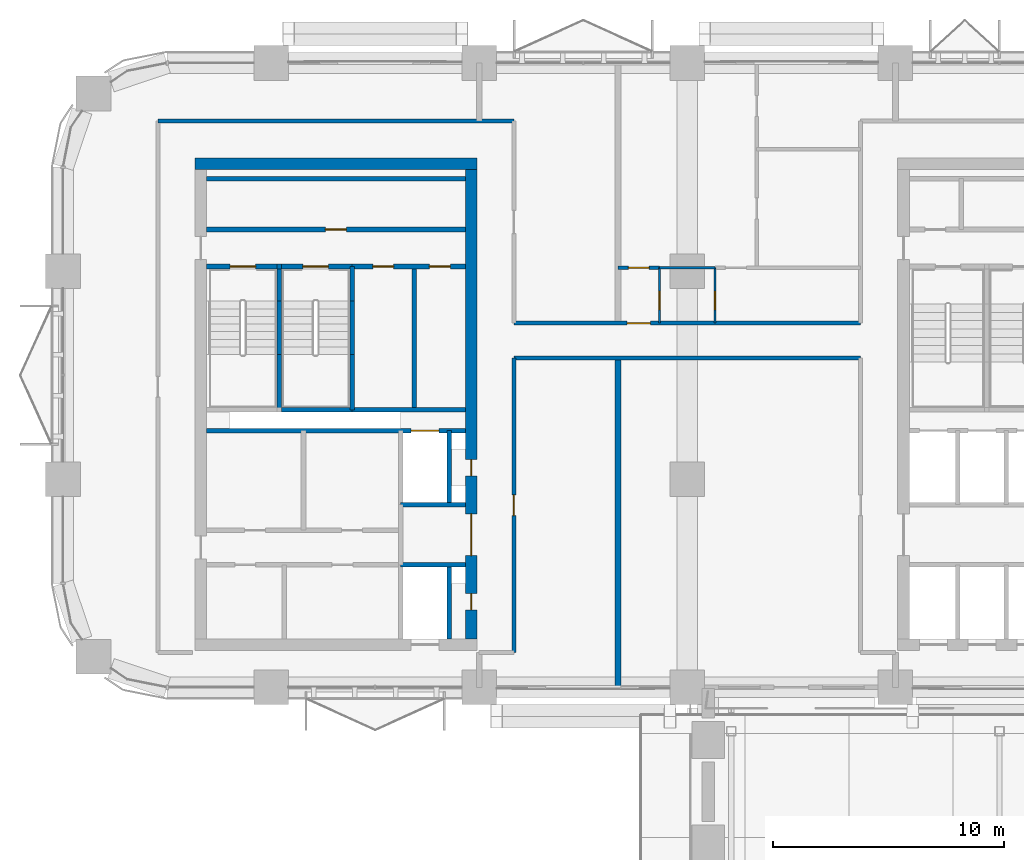
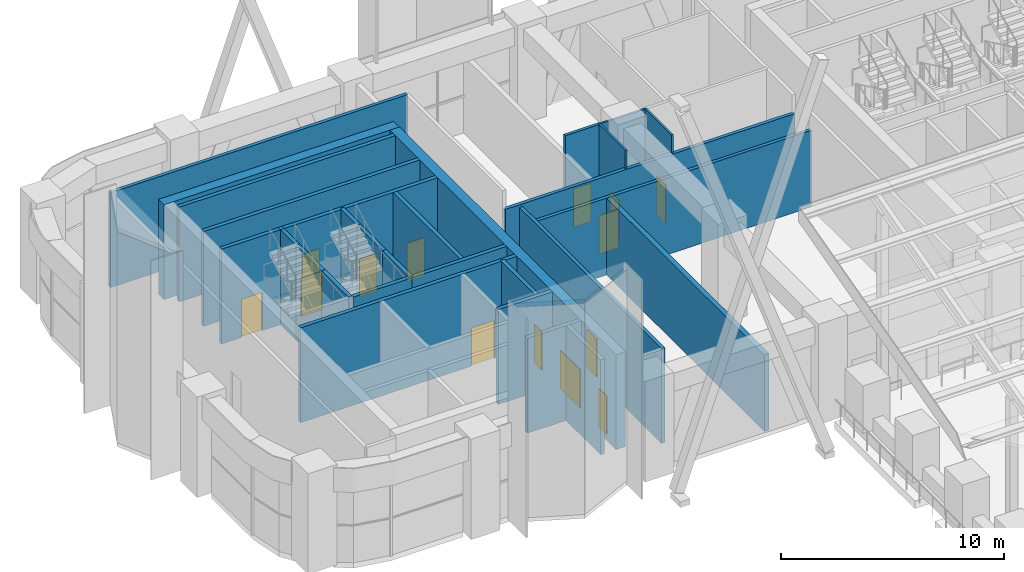
# One storey, part 14 of 22: 31 walls, 14 doors, 14 openings.
"""IFC4 building model written with IfcOpenShell, lengths in metres."""

from ifc_helpers import new_model, si_unit, direction, frame, frame_2d, origin, place, context, subcontext, project, spatial, rectangle, extrude, material, layer, layer_set, type_object, element, fill, save


model = new_model("IFC4")

# Units and contexts
model_context = context("Model", 3, precision=1e-05, world=origin(), true_north=direction((0.0, 1.0)))
body_context = subcontext(model_context, "Body", "Model", "MODEL_VIEW")
ifc_project = project(units=[si_unit("LENGTHUNIT", "METRE"), si_unit("AREAUNIT", "SQUARE_METRE"), si_unit("VOLUMEUNIT", "CUBIC_METRE"), si_unit("PLANEANGLEUNIT", "RADIAN"), si_unit("MASSUNIT", "GRAM", prefix="KILO")], contexts=[model_context])

# Site, building, storey
site_placement = place(None, origin())
site = spatial("IfcSite", under=ifc_project, at=site_placement, CompositionType="ELEMENT")
building_placement = place(site_placement, origin())
building = spatial("IfcBuilding", under=site, at=building_placement, Name="Tessera Arch", CompositionType="ELEMENT")
storey_placement = place(building_placement, frame((0.0, 0.0, 129.39990234375)))
storey = spatial("IfcBuildingStorey", under=building, at=storey_placement, Name="L30", CompositionType="ELEMENT", Elevation=129.39990234375)

# Wall
ifc_material_1 = material(Name="Gypsum board on steel stud", Category="steel")
ifc_layer_1 = layer(ifc_material_1, 0.125)
ifc_layer_set_1 = layer_set([ifc_layer_1], Name="Core partition 125 EI 60")
wall_type_1 = type_object("IfcWallType", Name="Core partition 125 EI 60", PredefinedType="PARTITIONING", material=ifc_layer_set_1)
wall_1_placement = place(storey_placement, frame((15.195068359375, 39.0, 0.0), z_axis=(0.0, 0.0, 1.0), x_axis=(0.0, 1.0, 0.0)))
element("IfcWall", 1, at=wall_1_placement, inside=storey, type_object=wall_type_1, Name="L30 C2 partition wall 12", PredefinedType="PARTITIONING", context=body_context, shape_type="SweptSolid", body=[
    extrude(rectangle(XDim=6.199951171875, YDim=0.199951171875, at=frame_2d((3.10009765625, 0.0))), origin(), (0.0, 0.0, 1.0), 5.2001953125),
])

# Wall, openings, doors
wall_2_placement = place(storey_placement, frame((12.5, 45.199951171875, 0.0), z_axis=(0.0, 0.0, 1.0), x_axis=(1.0, 0.0, 0.0)))
wall_2 = element("IfcWall", 2, at=wall_2_placement, inside=storey, type_object=wall_type_1, Name="L30 C2 partition wall 24", PredefinedType="PARTITIONING", context=body_context, shape_type="SweptSolid", body=[
    extrude(rectangle(XDim=4.89990234375, YDim=0.199951171875, at=frame_2d((2.449951171875, 0.0))), origin(), (0.0, 0.0, 1.0), 5.2001953125),
])
opening_1_placement = place(wall_2_placement, frame((0.8974609375, 0.0, 0.0)))
opening_1 = element("IfcOpeningElement", 3, at=opening_1_placement, cuts=wall_2, Name="Opening L30-C30", PredefinedType="OPENING", context=body_context, shape_type="SweptSolid", body=[
    extrude(rectangle(XDim=0.89990234375, YDim=2.10009765625, at=frame_2d((0.449951171875, 1.050048828125))), frame((0.0, 0.10986328125, 0.0), z_axis=(0.0, -1.0, 0.0), x_axis=(1.0, 0.0, 0.0)), (0.0, 0.0, 1.0), 0.219970703125),
])
opening_2_placement = place(wall_2_placement, frame((3.347412109375, 0.0, 0.0)))
opening_2 = element("IfcOpeningElement", 4, at=opening_2_placement, cuts=wall_2, Name="Opening L30-C31", PredefinedType="OPENING", context=body_context, shape_type="SweptSolid", body=[
    extrude(rectangle(XDim=0.89990234375, YDim=2.10009765625, at=frame_2d((0.449951171875, 1.050048828125))), frame((0.0, 0.10986328125, 0.0), z_axis=(0.0, -1.0, 0.0), x_axis=(1.0, 0.0, 0.0)), (0.0, 0.0, 1.0), 0.219970703125),
])
ifc_material_2 = material(Name="Steel door leaf", Category="steel")
door_type_1 = type_object("IfcDoorType", Name="Store door FD30S 900 x 2100", OperationType="SINGLE_SWING_LEFT", PredefinedType="DOOR", material=ifc_material_2)
door_1_placement = place(opening_1_placement, origin())
door_1 = element("IfcDoor", 5, at=door_1_placement, inside=storey, type_object=door_type_1, Name="L30 C2 door 11 C30 type D09", OperationType="SINGLE_SWING_LEFT", OverallHeight=2.10009765625, OverallWidth=0.89990234375, PredefinedType="DOOR", context=body_context, shape_type="SweptSolid", body=[
    extrude(rectangle(XDim=0.89990234375, YDim=2.10009765625, at=frame_2d((0.449951171875, 1.050048828125))), frame((0.0, 0.02490234375, 0.0), z_axis=(0.0, -1.0, 0.0), x_axis=(1.0, 0.0, 0.0)), (0.0, 0.0, 1.0), 0.050048828125),
])
fill(opening_1, door_1)
door_2_placement = place(opening_2_placement, origin())
door_2 = element("IfcDoor", 6, at=door_2_placement, inside=storey, type_object=door_type_1, Name="L30 C2 door 12 C31 type D09", OperationType="SINGLE_SWING_RIGHT", OverallHeight=2.10009765625, OverallWidth=0.89990234375, PredefinedType="DOOR", context=body_context, shape_type="SweptSolid", body=[
    extrude(rectangle(XDim=0.89990234375, YDim=2.10009765625, at=frame_2d((0.449951171875, 1.050048828125))), frame((0.0, 0.02490234375, 0.0), z_axis=(0.0, -1.0, 0.0), x_axis=(1.0, 0.0, 0.0)), (0.0, 0.0, 1.0), 0.050048828125),
])
fill(opening_2, door_2)

# Wall, opening, door
wall_3_placement = place(storey_placement, frame((6.199951171875, 46.800048828125, 0.0), z_axis=(0.0, 0.0, 1.0), x_axis=(1.0, 0.0, 0.0)))
wall_3 = element("IfcWall", 7, at=wall_3_placement, inside=storey, type_object=wall_type_1, Name="L30 C2 partition wall 28", PredefinedType="PARTITIONING", context=body_context, shape_type="SweptSolid", body=[
    extrude(rectangle(XDim=11.199951171875, YDim=0.199951171875, at=frame_2d((5.60009765625, 0.0))), origin(), (0.0, 0.0, 1.0), 5.2001953125),
])
opening_3_placement = place(wall_3_placement, frame((5.14990234375, 0.0, 0.0)))
opening_3 = element("IfcOpeningElement", 8, at=opening_3_placement, cuts=wall_3, Name="Opening L30-C29", PredefinedType="OPENING", context=body_context, shape_type="SweptSolid", body=[
    extrude(rectangle(XDim=0.89990234375, YDim=2.10009765625, at=frame_2d((0.449951171875, 1.050048828125))), frame((0.0, 0.10986328125, 0.0), z_axis=(0.0, -1.0, 0.0), x_axis=(1.0, 0.0, 0.0)), (0.0, 0.0, 1.0), 0.219970703125),
])
door_3_placement = place(opening_3_placement, origin())
door_3 = element("IfcDoor", 9, at=door_3_placement, inside=storey, type_object=door_type_1, Name="L30 C2 door 10 C29 type D09", OperationType="SINGLE_SWING_RIGHT", OverallHeight=2.10009765625, OverallWidth=0.89990234375, PredefinedType="DOOR", context=body_context, shape_type="SweptSolid", body=[
    extrude(rectangle(XDim=0.89990234375, YDim=2.10009765625, at=frame_2d((0.449951171875, 1.050048828125))), frame((0.0, 0.02490234375, 0.0), z_axis=(0.0, -1.0, 0.0), x_axis=(1.0, 0.0, 0.0)), (0.0, 0.0, 1.0), 0.050048828125),
])
fill(opening_3, door_3)

# Walls
wall_4_placement = place(storey_placement, frame((6.199951171875, 49.0, 0.0), z_axis=(0.0, 0.0, 1.0), x_axis=(1.0, 0.0, 0.0)))
element("IfcWall", 10, at=wall_4_placement, inside=storey, type_object=wall_type_1, Name="L30 C2 partition wall 29", PredefinedType="PARTITIONING", context=body_context, shape_type="SweptSolid", body=[
    extrude(rectangle(XDim=11.199951171875, YDim=0.199951171875, at=frame_2d((5.60009765625, 0.0))), origin(), (0.0, 0.0, 1.0), 5.2001953125),
])
ifc_material_3 = material(Name="Concrete C60/75", Category="concrete")
ifc_layer_2 = layer(ifc_material_3, 0.5)
ifc_layer_set_2 = layer_set([ifc_layer_2], Name="Core shell wall 500 C60-75")
wall_type_2 = type_object("IfcWallType", Name="Core shell wall 500 C60-75", PredefinedType="SHEAR", material=ifc_layer_set_2)
wall_5_placement = place(storey_placement, frame((5.699951171875, 49.64990234375, 0.0), z_axis=(0.0, 0.0, 1.0), x_axis=(1.0, 0.0, 0.0)))
element("IfcWall", 11, at=wall_5_placement, inside=storey, type_object=wall_type_2, Name="L30 C2 core wall N", PredefinedType="SHEAR", context=body_context, shape_type="SweptSolid", body=[
    extrude(rectangle(XDim=12.199951171875, YDim=0.5, at=frame_2d((6.10009765625, 0.0))), origin(), (0.0, 0.0, 1.0), 5.2001953125),
])

# Wall, openings, doors
wall_6_placement = place(storey_placement, frame((17.64990234375, 29.10009765625, 0.0), z_axis=(0.0, 0.0, 1.0), x_axis=(0.0, 1.0, 0.0)))
wall_6 = element("IfcWall", 12, at=wall_6_placement, inside=storey, type_object=wall_type_2, Name="L30 C2 core wall E", PredefinedType="SHEAR", context=body_context, shape_type="SweptSolid", body=[
    extrude(rectangle(XDim=20.2998046875, YDim=0.5, at=frame_2d((10.14990234375, 0.0))), origin(), (0.0, 0.0, 1.0), 5.2001953125),
])
opening_4_placement = place(wall_6_placement, frame((1.25, 0.0, 0.0)))
opening_4 = element("IfcOpeningElement", 13, at=opening_4_placement, cuts=wall_6, Name="Opening L30-C22", PredefinedType="OPENING", context=body_context, shape_type="SweptSolid", body=[
    extrude(rectangle(XDim=0.699951171875, YDim=2.10009765625, at=frame_2d((0.35009765625, 1.050048828125))), frame((0.0, 0.260009765625, 0.0), z_axis=(0.0, -1.0, 0.0), x_axis=(1.0, 0.0, 0.0)), (0.0, 0.0, 1.0), 0.52001953125),
])
opening_5_placement = place(wall_6_placement, frame((7.050048828125, 0.0, 0.0)))
opening_5 = element("IfcOpeningElement", 14, at=opening_5_placement, cuts=wall_6, Name="Opening L30-C23", PredefinedType="OPENING", context=body_context, shape_type="SweptSolid", body=[
    extrude(rectangle(XDim=0.699951171875, YDim=2.10009765625, at=frame_2d((0.35009765625, 1.050048828125))), frame((0.0, 0.260009765625, 0.0), z_axis=(0.0, -1.0, 0.0), x_axis=(1.0, 0.0, 0.0)), (0.0, 0.0, 1.0), 0.52001953125),
])
opening_6_placement = place(wall_6_placement, frame((3.60009765625, 0.0, 0.0)))
opening_6 = element("IfcOpeningElement", 15, at=opening_6_placement, cuts=wall_6, Name="Opening L30-C26", PredefinedType="OPENING", context=body_context, shape_type="SweptSolid", body=[
    extrude(rectangle(XDim=1.800048828125, YDim=2.10009765625, at=frame_2d((0.89990234375, 1.050048828125))), frame((0.0, 0.260009765625, 0.0), z_axis=(0.0, -1.0, 0.0), x_axis=(1.0, 0.0, 0.0)), (0.0, 0.0, 1.0), 0.52001953125),
])
ifc_material_4 = material(Name="Glazed steel door leaf", Category="steel")
door_type_2 = type_object("IfcDoorType", Name="Lobby double door FD30S 1800 x 2100", OperationType="DOUBLE_DOOR_SINGLE_SWING", PredefinedType="DOOR", material=ifc_material_4)
door_4_placement = place(opening_6_placement, origin())
door_4 = element("IfcDoor", 16, at=door_4_placement, inside=storey, type_object=door_type_2, Name="L30 C2 door 7 C26 type D06", OperationType="DOUBLE_DOOR_SINGLE_SWING", OverallHeight=2.10009765625, OverallWidth=1.800048828125, PredefinedType="DOOR", context=body_context, shape_type="SweptSolid", body=[
    extrude(rectangle(XDim=1.800048828125, YDim=2.10009765625, at=frame_2d((0.89990234375, 1.050048828125))), frame((0.0, 0.02490234375, 0.0), z_axis=(0.0, -1.0, 0.0), x_axis=(1.0, 0.0, 0.0)), (0.0, 0.0, 1.0), 0.050048828125),
])
fill(opening_6, door_4)
ifc_material_5 = material(Name="Steel door leaf", Category="steel")
door_type_3 = type_object("IfcDoorType", Name="Service shaft door FD60 700 x 2100", OperationType="SINGLE_SWING_LEFT", PredefinedType="DOOR", material=ifc_material_5)
door_5_placement = place(opening_4_placement, origin())
door_5 = element("IfcDoor", 17, at=door_5_placement, inside=storey, type_object=door_type_3, Name="L30 C2 door 3 C22 type D07", OperationType="SINGLE_SWING_LEFT", OverallHeight=2.10009765625, OverallWidth=0.699951171875, PredefinedType="DOOR", context=body_context, shape_type="SweptSolid", body=[
    extrude(rectangle(XDim=0.699951171875, YDim=2.10009765625, at=frame_2d((0.35009765625, 1.050048828125))), frame((0.0, 0.02490234375, 0.0), z_axis=(0.0, -1.0, 0.0), x_axis=(1.0, 0.0, 0.0)), (0.0, 0.0, 1.0), 0.050048828125),
])
fill(opening_4, door_5)
door_6_placement = place(opening_5_placement, origin())
door_6 = element("IfcDoor", 18, at=door_6_placement, inside=storey, type_object=door_type_3, Name="L30 C2 door 4 C23 type D07", OperationType="SINGLE_SWING_LEFT", OverallHeight=2.10009765625, OverallWidth=0.699951171875, PredefinedType="DOOR", context=body_context, shape_type="SweptSolid", body=[
    extrude(rectangle(XDim=0.699951171875, YDim=2.10009765625, at=frame_2d((0.35009765625, 1.050048828125))), frame((0.0, 0.02490234375, 0.0), z_axis=(0.0, -1.0, 0.0), x_axis=(1.0, 0.0, 0.0)), (0.0, 0.0, 1.0), 0.050048828125),
])
fill(opening_5, door_6)

# Wall
ifc_material_6 = material(Name="Gypsum board on deep steel stud with mineral wool", Category="steel")
ifc_layer_3 = layer(ifc_material_6, 0.175048828125)
ifc_layer_set_3 = layer_set([ifc_layer_3], Name="Corridor wall 175 EI 60")
wall_type_3 = type_object("IfcWallType", Name="Corridor wall 175 EI 60", PredefinedType="PARTITIONING", material=ifc_layer_set_3)
wall_7_placement = place(storey_placement, frame((19.5, 41.25, 0.0), z_axis=(0.0, 0.0, 1.0), x_axis=(1.0, 0.0, 0.0)))
element("IfcWall", 19, at=wall_7_placement, inside=storey, type_object=wall_type_3, Name="L30 partition 5", PredefinedType="PARTITIONING", context=body_context, shape_type="SweptSolid", body=[
    extrude(rectangle(XDim=15.0, YDim=0.175048828125, at=frame_2d((7.5, 0.0))), origin(), (0.0, 0.0, 1.0), 4.2001953125),
])

# Wall, opening, door
wall_8_placement = place(storey_placement, frame((19.5, 42.75, 0.0), z_axis=(0.0, 0.0, 1.0), x_axis=(1.0, 0.0, 0.0)))
wall_8 = element("IfcWall", 20, at=wall_8_placement, inside=storey, type_object=wall_type_3, Name="L30 partition 6", PredefinedType="PARTITIONING", context=body_context, shape_type="SweptSolid", body=[
    extrude(rectangle(XDim=15.0, YDim=0.175048828125, at=frame_2d((7.5, 0.0))), origin(), (0.0, 0.0, 1.0), 4.2001953125),
])
opening_7_placement = place(wall_8_placement, frame((4.89990234375, 0.0, 0.0)))
opening_7 = element("IfcOpeningElement", 21, at=opening_7_placement, cuts=wall_8, Name="Opening L30-D005", PredefinedType="OPENING", context=body_context, shape_type="SweptSolid", body=[
    extrude(rectangle(XDim=1.0, YDim=2.10009765625, at=frame_2d((0.5, 1.050048828125))), frame((0.0, 0.097412109375, 0.0), z_axis=(0.0, -1.0, 0.0), x_axis=(1.0, 0.0, 0.0)), (0.0, 0.0, 1.0), 0.195068359375),
])
ifc_material_7 = material(Name="Fire-rated door leaf")
door_type_4 = type_object("IfcDoorType", Name="Entrance door FD30S 1000 x 2100", OperationType="SINGLE_SWING_LEFT", PredefinedType="DOOR", material=ifc_material_7)
door_7_placement = place(opening_7_placement, origin())
door_7 = element("IfcDoor", 22, at=door_7_placement, inside=storey, type_object=door_type_4, Name="L30 door D005 type D03", OperationType="SINGLE_SWING_LEFT", OverallHeight=2.10009765625, OverallWidth=1.0, PredefinedType="DOOR", context=body_context, shape_type="SweptSolid", body=[
    extrude(rectangle(XDim=1.0, YDim=2.10009765625, at=frame_2d((0.5, 1.050048828125))), frame((0.0, 0.02490234375, 0.0), z_axis=(0.0, -1.0, 0.0), x_axis=(1.0, 0.0, 0.0)), (0.0, 0.0, 1.0), 0.050048828125),
])
fill(opening_7, door_7)

# Wall
wall_9_placement = place(storey_placement, frame((4.10009765625, 51.5, 0.0), z_axis=(0.0, 0.0, 1.0), x_axis=(1.0, 0.0, 0.0)))
element("IfcWall", 23, at=wall_9_placement, inside=storey, type_object=wall_type_3, Name="L30 partition 7", PredefinedType="PARTITIONING", context=body_context, shape_type="SweptSolid", body=[
    extrude(rectangle(XDim=15.39990234375, YDim=0.175048828125, at=frame_2d((7.699951171875, 0.0))), origin(), (0.0, 0.0, 1.0), 5.2001953125),
])

# Wall, opening, door
wall_10_placement = place(storey_placement, frame((19.5, 28.5, 0.0), z_axis=(0.0, 0.0, 1.0), x_axis=(0.0, 1.0, 0.0)))
wall_10 = element("IfcWall", 24, at=wall_10_placement, inside=storey, type_object=wall_type_3, Name="L30 partition 10", PredefinedType="PARTITIONING", context=body_context, shape_type="SweptSolid", body=[
    extrude(rectangle(XDim=12.75, YDim=0.175048828125, at=frame_2d((6.375, 0.0))), origin(), (0.0, 0.0, 1.0), 5.2001953125),
])
opening_8_placement = place(wall_10_placement, frame((5.925048828125, 0.0, 0.0)))
opening_8 = element("IfcOpeningElement", 25, at=opening_8_placement, cuts=wall_10, Name="Opening L30-D001", PredefinedType="OPENING", context=body_context, shape_type="SweptSolid", body=[
    extrude(rectangle(XDim=0.89990234375, YDim=2.10009765625, at=frame_2d((0.449951171875, 1.050048828125))), frame((0.0, 0.097412109375, 0.0), z_axis=(0.0, -1.0, 0.0), x_axis=(1.0, 0.0, 0.0)), (0.0, 0.0, 1.0), 0.195068359375),
])
ifc_material_8 = material(Name="Timber door leaf", Category="wood")
door_type_5 = type_object("IfcDoorType", Name="Room door 900 x 2100", OperationType="SINGLE_SWING_LEFT", PredefinedType="DOOR", material=ifc_material_8)
door_8_placement = place(opening_8_placement, origin())
door_8 = element("IfcDoor", 26, at=door_8_placement, inside=storey, type_object=door_type_5, Name="L30 door D001 type D01", OperationType="SINGLE_SWING_RIGHT", OverallHeight=2.10009765625, OverallWidth=0.89990234375, PredefinedType="DOOR", context=body_context, shape_type="SweptSolid", body=[
    extrude(rectangle(XDim=0.89990234375, YDim=2.10009765625, at=frame_2d((0.449951171875, 1.050048828125))), frame((0.0, 0.02490234375, 0.0), z_axis=(0.0, -1.0, 0.0), x_axis=(1.0, 0.0, 0.0)), (0.0, 0.0, 1.0), 0.050048828125),
])
fill(opening_8, door_8)

ifc_material_9 = material(Name="Gypsum board on steel stud", Category="steel")
ifc_layer_4 = layer(ifc_material_9, 0.14990234375)
ifc_layer_set_4 = layer_set([ifc_layer_4], Name="Partition 150")
wall_type_4 = type_object("IfcWallType", Name="Partition 150", PredefinedType="PARTITIONING", material=ifc_layer_set_4)
wall_11_placement = place(storey_placement, frame((24.0, 45.14990234375, 0.0), z_axis=(0.0, 0.0, 1.0), x_axis=(1.0, 0.0, 0.0)))
wall_11 = element("IfcWall", 27, at=wall_11_placement, inside=storey, type_object=wall_type_4, Name="L30 partition 15", PredefinedType="PARTITIONING", context=body_context, shape_type="SweptSolid", body=[
    extrude(rectangle(XDim=1.800048828125, YDim=0.14990234375, at=frame_2d((0.89990234375, 0.0))), origin(), (0.0, 0.0, 1.0), 5.2001953125),
])
opening_9_placement = place(wall_11_placement, frame((0.449951171875, 0.0, 0.0)))
opening_9 = element("IfcOpeningElement", 28, at=opening_9_placement, cuts=wall_11, Name="Opening L30-D006", PredefinedType="OPENING", context=body_context, shape_type="SweptSolid", body=[
    extrude(rectangle(XDim=0.89990234375, YDim=2.10009765625, at=frame_2d((0.449951171875, 1.050048828125))), frame((0.0, 0.0849609375, 0.0), z_axis=(0.0, -1.0, 0.0), x_axis=(1.0, 0.0, 0.0)), (0.0, 0.0, 1.0), 0.169921875),
])
door_9_placement = place(opening_9_placement, origin())
door_9 = element("IfcDoor", 29, at=door_9_placement, inside=storey, type_object=door_type_5, Name="L30 door D006 type D01", OperationType="SINGLE_SWING_RIGHT", OverallHeight=2.10009765625, OverallWidth=0.89990234375, PredefinedType="DOOR", context=body_context, shape_type="SweptSolid", body=[
    extrude(rectangle(XDim=0.89990234375, YDim=2.10009765625, at=frame_2d((0.449951171875, 1.050048828125))), frame((0.0, 0.02490234375, 0.0), z_axis=(0.0, -1.0, 0.0), x_axis=(1.0, 0.0, 0.0)), (0.0, 0.0, 1.0), 0.050048828125),
])
fill(opening_9, door_9)

# Walls
ifc_material_10 = material(Name="Double gypsum board on twin steel stud with acoustic mineral wool", Category="steel")
ifc_layer_5 = layer(ifc_material_10, 0.25)
ifc_layer_set_5 = layer_set([ifc_layer_5], Name="Party wall 250 EI 60")
wall_type_5 = type_object("IfcWallType", Name="Party wall 250 EI 60", PredefinedType="PARTITIONING", material=ifc_layer_set_5)
wall_12_placement = place(storey_placement, frame((24.0, 27.0, 0.0), z_axis=(0.0, 0.0, 1.0), x_axis=(0.0, 1.0, 0.0)))
element("IfcWall", 30, at=wall_12_placement, inside=storey, type_object=wall_type_5, Name="L30 partition 21", PredefinedType="PARTITIONING", context=body_context, shape_type="SweptSolid", body=[
    extrude(rectangle(XDim=14.25, YDim=0.25, at=frame_2d((7.125, 0.0))), origin(), (0.0, 0.0, 1.0), 4.2001953125),
])
ifc_material_11 = material(Name="Concrete C40/50", Category="concrete")
ifc_layer_6 = layer(ifc_material_11, 0.199951171875)
ifc_layer_set_6 = layer_set([ifc_layer_6], Name="Shaft wall 200 EI 120")
wall_type_6 = type_object("IfcWallType", Name="Shaft wall 200 EI 120", PredefinedType="SOLIDWALL", material=ifc_layer_set_6)
wall_13_placement = place(storey_placement, frame((16.699951171875, 29.10009765625, 0.0), z_axis=(0.0, 0.0, 1.0), x_axis=(0.0, 1.0, 0.0)))
element("IfcWall", 31, at=wall_13_placement, inside=storey, type_object=wall_type_6, Name="L30 C2 shaft wall 13", PredefinedType="SOLIDWALL", context=body_context, shape_type="SweptSolid", body=[
    extrude(rectangle(XDim=3.199951171875, YDim=0.199951171875, at=frame_2d((1.60009765625, 0.0))), origin(), (0.0, 0.0, 1.0), 5.2001953125),
])
wall_14_placement = place(storey_placement, frame((16.699951171875, 34.89990234375, 0.0), z_axis=(0.0, 0.0, 1.0), x_axis=(0.0, 1.0, 0.0)))
element("IfcWall", 32, at=wall_14_placement, inside=storey, type_object=wall_type_6, Name="L30 C2 shaft wall 14", PredefinedType="SOLIDWALL", context=body_context, shape_type="SweptSolid", body=[
    extrude(rectangle(XDim=3.2001953125, YDim=0.199951171875, at=frame_2d((1.60009765625, 0.0))), origin(), (0.0, 0.0, 1.0), 5.2001953125),
])
for number, where, z_axis, x_axis, name in (
    (33, (14.60009765625, 32.300048828125, 0.0), (0.0, 0.0, 1.0), (1.0, 0.0, 0.0), "L30 C2 shaft wall 16"),
    (34, (14.60009765625, 34.89990234375, 0.0), (0.0, 0.0, 1.0), (1.0, 0.0, 0.0), "L30 C2 shaft wall 18"),
):
    element("IfcWall", number, at=place(storey_placement, frame(where, z_axis=z_axis, x_axis=x_axis)), inside=storey, type_object=wall_type_6, Name=name, PredefinedType="SOLIDWALL", context=body_context, shape_type="SweptSolid", body=[
        extrude(rectangle(XDim=2.7998046875, YDim=0.199951171875, at=frame_2d((1.39990234375, 0.0))), origin(), (0.0, 0.0, 1.0), 5.2001953125),
    ])

# Wall, opening, door
wall_15_placement = place(storey_placement, frame((6.199951171875, 38.10009765625, 0.0), z_axis=(0.0, 0.0, 1.0), x_axis=(1.0, 0.0, 0.0)))
wall_15 = element("IfcWall", 35, at=wall_15_placement, inside=storey, type_object=wall_type_6, Name="L30 C2 shaft wall 19", PredefinedType="SOLIDWALL", context=body_context, shape_type="SweptSolid", body=[
    extrude(rectangle(XDim=11.199951171875, YDim=0.199951171875, at=frame_2d((5.60009765625, 0.0))), origin(), (0.0, 0.0, 1.0), 5.2001953125),
])
opening_10_placement = place(wall_15_placement, frame((8.85009765625, 0.0, 0.0)))
opening_10 = element("IfcOpeningElement", 36, at=opening_10_placement, cuts=wall_15, Name="Opening L30-C21", PredefinedType="OPENING", context=body_context, shape_type="SweptSolid", body=[
    extrude(rectangle(XDim=1.199951171875, YDim=2.10009765625, at=frame_2d((0.60009765625, 1.050048828125))), frame((0.0, 0.10986328125, 0.0), z_axis=(0.0, -1.0, 0.0), x_axis=(1.0, 0.0, 0.0)), (0.0, 0.0, 1.0), 0.219970703125),
])
ifc_material_12 = material(Name="Stainless steel AISI 304", Category="steel")
door_type_6 = type_object("IfcDoorType", Name="Sliding landing door 1200 x 2100", OperationType="SLIDING_TO_LEFT", PredefinedType="DOOR", material=ifc_material_12)
door_10_placement = place(opening_10_placement, origin())
door_10 = element("IfcDoor", 37, at=door_10_placement, inside=storey, type_object=door_type_6, Name="L30 HR8 lift landing door C21 type LD", OperationType="SLIDING_TO_LEFT", OverallHeight=2.10009765625, OverallWidth=1.199951171875, PredefinedType="DOOR", context=body_context, shape_type="SweptSolid", body=[
    extrude(rectangle(XDim=1.199951171875, YDim=2.10009765625, at=frame_2d((0.60009765625, 1.050048828125))), frame((0.0, 0.02490234375, 0.0), z_axis=(0.0, -1.0, 0.0), x_axis=(1.0, 0.0, 0.0)), (0.0, 0.0, 1.0), 0.050048828125),
])
fill(opening_10, door_10)

# Walls
wall_16_placement = place(storey_placement, frame((12.5, 39.0, 0.0), z_axis=(0.0, 0.0, 1.0), x_axis=(1.0, 0.0, 0.0)))
element("IfcWall", 38, at=wall_16_placement, inside=storey, type_object=wall_type_6, Name="L30 C2 shaft wall 20", PredefinedType="SOLIDWALL", context=body_context, shape_type="SweptSolid", body=[
    extrude(rectangle(XDim=4.89990234375, YDim=0.199951171875, at=frame_2d((2.449951171875, 0.0))), origin(), (0.0, 0.0, 1.0), 5.2001953125),
])
ifc_material_13 = material(Name="Concrete C40/50", Category="concrete")
ifc_layer_7 = layer(ifc_material_13, 0.199951171875)
ifc_layer_set_7 = layer_set([ifc_layer_7], Name="Stair well wall 200 REI 180")
wall_type_7 = type_object("IfcWallType", Name="Stair well wall 200 REI 180", PredefinedType="SOLIDWALL", material=ifc_layer_set_7)
wall_17_placement = place(storey_placement, frame((9.35009765625, 39.0, 0.0), z_axis=(0.0, 0.0, 1.0), x_axis=(0.0, 1.0, 0.0)))
element("IfcWall", 39, at=wall_17_placement, inside=storey, type_object=wall_type_7, Name="L30 C2 shaft wall 1", PredefinedType="SOLIDWALL", context=body_context, shape_type="SweptSolid", body=[
    extrude(rectangle(XDim=2.389892578125, YDim=0.199951171875, at=frame_2d((1.19482421875, 0.0))), origin(), (0.0, 0.0, 1.0), 5.2001953125),
])
wall_18_placement = place(storey_placement, frame((9.35009765625, 41.389892578125, 0.0), z_axis=(0.0, 0.0, 1.0), x_axis=(0.0, 1.0, 0.0)))
element("IfcWall", 40, at=wall_18_placement, inside=storey, type_object=wall_type_7, Name="L30 C2 shaft wall 2", PredefinedType="SOLIDWALL", context=body_context, shape_type="SweptSolid", body=[
    extrude(rectangle(XDim=2.31005859375, YDim=0.199951171875, at=frame_2d((1.155029296875, 0.0))), origin(), (0.0, 0.0, 1.0), 5.2001953125),
])
wall_19_placement = place(storey_placement, frame((9.35009765625, 43.699951171875, 0.0), z_axis=(0.0, 0.0, 1.0), x_axis=(0.0, 1.0, 0.0)))
element("IfcWall", 41, at=wall_19_placement, inside=storey, type_object=wall_type_7, Name="L30 C2 shaft wall 3", PredefinedType="SOLIDWALL", context=body_context, shape_type="SweptSolid", body=[
    extrude(rectangle(XDim=1.5, YDim=0.199951171875, at=frame_2d((0.75, 0.0))), origin(), (0.0, 0.0, 1.0), 5.2001953125),
])
wall_20_placement = place(storey_placement, frame((12.5, 39.0, 0.0), z_axis=(0.0, 0.0, 1.0), x_axis=(0.0, 1.0, 0.0)))
element("IfcWall", 42, at=wall_20_placement, inside=storey, type_object=wall_type_7, Name="L30 C2 shaft wall 6", PredefinedType="SOLIDWALL", context=body_context, shape_type="SweptSolid", body=[
    extrude(rectangle(XDim=2.389892578125, YDim=0.199951171875, at=frame_2d((1.19482421875, 0.0))), origin(), (0.0, 0.0, 1.0), 5.2001953125),
])
wall_21_placement = place(storey_placement, frame((12.5, 41.389892578125, 0.0), z_axis=(0.0, 0.0, 1.0), x_axis=(0.0, 1.0, 0.0)))
element("IfcWall", 43, at=wall_21_placement, inside=storey, type_object=wall_type_7, Name="L30 C2 shaft wall 7", PredefinedType="SOLIDWALL", context=body_context, shape_type="SweptSolid", body=[
    extrude(rectangle(XDim=2.31005859375, YDim=0.199951171875, at=frame_2d((1.155029296875, 0.0))), origin(), (0.0, 0.0, 1.0), 5.2001953125),
])
wall_22_placement = place(storey_placement, frame((12.5, 43.699951171875, 0.0), z_axis=(0.0, 0.0, 1.0), x_axis=(0.0, 1.0, 0.0)))
element("IfcWall", 44, at=wall_22_placement, inside=storey, type_object=wall_type_7, Name="L30 C2 shaft wall 8", PredefinedType="SOLIDWALL", context=body_context, shape_type="SweptSolid", body=[
    extrude(rectangle(XDim=1.5, YDim=0.199951171875, at=frame_2d((0.75, 0.0))), origin(), (0.0, 0.0, 1.0), 5.2001953125),
])
wall_23_placement = place(storey_placement, frame((9.449951171875, 39.0, 0.0), z_axis=(0.0, 0.0, 1.0), x_axis=(1.0, 0.0, 0.0)))
element("IfcWall", 45, at=wall_23_placement, inside=storey, type_object=wall_type_7, Name="L30 C2 shaft wall 23", PredefinedType="SOLIDWALL", context=body_context, shape_type="SweptSolid", body=[
    extrude(rectangle(XDim=3.050048828125, YDim=0.199951171875, at=frame_2d((1.52490234375, 0.0))), origin(), (0.0, 0.0, 1.0), 5.2001953125),
])

# Wall, opening, door
wall_24_placement = place(storey_placement, frame((6.199951171875, 45.199951171875, 0.0), z_axis=(0.0, 0.0, 1.0), x_axis=(1.0, 0.0, 0.0)))
wall_24 = element("IfcWall", 46, at=wall_24_placement, inside=storey, type_object=wall_type_7, Name="L30 C2 shaft wall 25", PredefinedType="SOLIDWALL", context=body_context, shape_type="SweptSolid", body=[
    extrude(rectangle(XDim=3.050048828125, YDim=0.199951171875, at=frame_2d((1.52490234375, 0.0))), origin(), (0.0, 0.0, 1.0), 5.2001953125),
])
opening_11_placement = place(wall_24_placement, frame((1.02490234375, 0.0, 0.0)))
opening_11 = element("IfcOpeningElement", 47, at=opening_11_placement, cuts=wall_24, Name="Opening L30-C24", PredefinedType="OPENING", context=body_context, shape_type="SweptSolid", body=[
    extrude(rectangle(XDim=1.10009765625, YDim=2.10009765625, at=frame_2d((0.550048828125, 1.050048828125))), frame((0.0, 0.10986328125, 0.0), z_axis=(0.0, -1.0, 0.0), x_axis=(1.0, 0.0, 0.0)), (0.0, 0.0, 1.0), 0.219970703125),
])
ifc_material_14 = material(Name="Steel door leaf", Category="steel")
door_type_7 = type_object("IfcDoorType", Name="Stair door FD60 1100 x 2100", OperationType="SINGLE_SWING_LEFT", PredefinedType="DOOR", material=ifc_material_14)
door_11_placement = place(opening_11_placement, origin())
door_11 = element("IfcDoor", 48, at=door_11_placement, inside=storey, type_object=door_type_7, Name="L30 C2 door 5 C24 type D05", OperationType="SINGLE_SWING_RIGHT", OverallHeight=2.10009765625, OverallWidth=1.10009765625, PredefinedType="DOOR", context=body_context, shape_type="SweptSolid", body=[
    extrude(rectangle(XDim=1.10009765625, YDim=2.10009765625, at=frame_2d((0.550048828125, 1.050048828125))), frame((0.0, 0.02490234375, 0.0), z_axis=(0.0, -1.0, 0.0), x_axis=(1.0, 0.0, 0.0)), (0.0, 0.0, 1.0), 0.050048828125),
])
fill(opening_11, door_11)

# Wall
wall_25_placement = place(storey_placement, frame((9.25, 45.199951171875, 0.0), z_axis=(0.0, 0.0, 1.0), x_axis=(1.0, 0.0, 0.0)))
element("IfcWall", 49, at=wall_25_placement, inside=storey, type_object=wall_type_7, Name="L30 C2 shaft wall 26", PredefinedType="SOLIDWALL", context=body_context, shape_type="SweptSolid", body=[
    extrude(rectangle(XDim=0.199951171875, YDim=0.199951171875, at=frame_2d((0.10009765625, 0.0))), origin(), (0.0, 0.0, 1.0), 5.2001953125),
])

# Wall, opening, door
wall_26_placement = place(storey_placement, frame((9.449951171875, 45.199951171875, 0.0), z_axis=(0.0, 0.0, 1.0), x_axis=(1.0, 0.0, 0.0)))
wall_26 = element("IfcWall", 50, at=wall_26_placement, inside=storey, type_object=wall_type_7, Name="L30 C2 shaft wall 27", PredefinedType="SOLIDWALL", context=body_context, shape_type="SweptSolid", body=[
    extrude(rectangle(XDim=3.050048828125, YDim=0.199951171875, at=frame_2d((1.52490234375, 0.0))), origin(), (0.0, 0.0, 1.0), 5.2001953125),
])
opening_12_placement = place(wall_26_placement, frame((0.925048828125, 0.0, 0.0)))
opening_12 = element("IfcOpeningElement", 51, at=opening_12_placement, cuts=wall_26, Name="Opening L30-C25", PredefinedType="OPENING", context=body_context, shape_type="SweptSolid", body=[
    extrude(rectangle(XDim=1.10009765625, YDim=2.10009765625, at=frame_2d((0.550048828125, 1.050048828125))), frame((0.0, 0.10986328125, 0.0), z_axis=(0.0, -1.0, 0.0), x_axis=(1.0, 0.0, 0.0)), (0.0, 0.0, 1.0), 0.219970703125),
])
door_12_placement = place(opening_12_placement, origin())
door_12 = element("IfcDoor", 52, at=door_12_placement, inside=storey, type_object=door_type_7, Name="L30 C2 door 6 C25 type D05", OperationType="SINGLE_SWING_LEFT", OverallHeight=2.10009765625, OverallWidth=1.10009765625, PredefinedType="DOOR", context=body_context, shape_type="SweptSolid", body=[
    extrude(rectangle(XDim=1.10009765625, YDim=2.10009765625, at=frame_2d((0.550048828125, 1.050048828125))), frame((0.0, 0.02490234375, 0.0), z_axis=(0.0, -1.0, 0.0), x_axis=(1.0, 0.0, 0.0)), (0.0, 0.0, 1.0), 0.050048828125),
])
fill(opening_12, door_12)

# Wall
ifc_material_15 = material(Name="Moisture-resistant board on pre-plumbed steel stud", Category="steel")
ifc_layer_8 = layer(ifc_material_15, 0.10009765625)
ifc_layer_set_8 = layer_set([ifc_layer_8], Name="Wet wall 100")
wall_type_8 = type_object("IfcWallType", Name="Wet wall 100", PredefinedType="PARTITIONING", material=ifc_layer_set_8)
wall_27_placement = place(storey_placement, frame((25.800048828125, 45.14990234375, 0.0), z_axis=(0.0, 0.0, 1.0), x_axis=(1.0, 0.0, 0.0)))
element("IfcWall", 53, at=wall_27_placement, inside=storey, type_object=wall_type_8, Name="L30 partition 25", PredefinedType="PARTITIONING", context=body_context, shape_type="SweptSolid", body=[
    extrude(rectangle(XDim=2.39990234375, YDim=0.10009765625, at=frame_2d((1.199951171875, 0.0))), origin(), (0.0, 0.0, 1.0), 5.2001953125),
])

# Wall, opening, door
wall_28_placement = place(storey_placement, frame((25.800048828125, 42.75, 0.0), z_axis=(0.0, 0.0, 1.0), x_axis=(0.0, 1.0, 0.0)))
wall_28 = element("IfcWall", 54, at=wall_28_placement, inside=storey, type_object=wall_type_8, Name="L30 partition 26", PredefinedType="PARTITIONING", context=body_context, shape_type="SweptSolid", body=[
    extrude(rectangle(XDim=2.39990234375, YDim=0.10009765625, at=frame_2d((1.199951171875, 0.0))), origin(), (0.0, 0.0, 1.0), 5.2001953125),
])
opening_13_placement = place(wall_28_placement, frame((0.580078125, 0.0, 0.0)))
opening_13 = element("IfcOpeningElement", 55, at=opening_13_placement, cuts=wall_28, Name="Opening L30-D007", PredefinedType="OPENING", context=body_context, shape_type="SweptSolid", body=[
    extrude(rectangle(XDim=0.800048828125, YDim=2.10009765625, at=frame_2d((0.39990234375, 1.050048828125))), frame((0.0, 0.06005859375, 0.0), z_axis=(0.0, -1.0, 0.0), x_axis=(1.0, 0.0, 0.0)), (0.0, 0.0, 1.0), 0.1201171875),
])
ifc_material_16 = material(Name="Timber door leaf", Category="wood")
door_type_8 = type_object("IfcDoorType", Name="En-suite door 800 x 2100", OperationType="SINGLE_SWING_LEFT", PredefinedType="DOOR", material=ifc_material_16)
door_13_placement = place(opening_13_placement, origin())
door_13 = element("IfcDoor", 56, at=door_13_placement, inside=storey, type_object=door_type_8, Name="L30 door D007 type D02", OperationType="SINGLE_SWING_RIGHT", OverallHeight=2.10009765625, OverallWidth=0.800048828125, PredefinedType="DOOR", context=body_context, shape_type="SweptSolid", body=[
    extrude(rectangle(XDim=0.800048828125, YDim=2.10009765625, at=frame_2d((0.39990234375, 1.050048828125))), frame((0.0, 0.02490234375, 0.0), z_axis=(0.0, -1.0, 0.0), x_axis=(1.0, 0.0, 0.0)), (0.0, 0.0, 1.0), 0.050048828125),
])
fill(opening_13, door_13)

wall_29_placement = place(storey_placement, frame((28.199951171875, 42.75, 0.0), z_axis=(0.0, 0.0, 1.0), x_axis=(0.0, 1.0, 0.0)))
wall_29 = element("IfcWall", 57, at=wall_29_placement, inside=storey, type_object=wall_type_8, Name="L30 partition 27", PredefinedType="PARTITIONING", context=body_context, shape_type="SweptSolid", body=[
    extrude(rectangle(XDim=2.39990234375, YDim=0.10009765625, at=frame_2d((1.199951171875, 0.0))), origin(), (0.0, 0.0, 1.0), 5.2001953125),
])
opening_14_placement = place(wall_29_placement, frame((0.580078125, 0.0, 0.0)))
opening_14 = element("IfcOpeningElement", 58, at=opening_14_placement, cuts=wall_29, Name="Opening L30-D008", PredefinedType="OPENING", context=body_context, shape_type="SweptSolid", body=[
    extrude(rectangle(XDim=0.800048828125, YDim=2.10009765625, at=frame_2d((0.39990234375, 1.050048828125))), frame((0.0, 0.06005859375, 0.0), z_axis=(0.0, -1.0, 0.0), x_axis=(1.0, 0.0, 0.0)), (0.0, 0.0, 1.0), 0.1201171875),
])
door_14_placement = place(opening_14_placement, origin())
door_14 = element("IfcDoor", 59, at=door_14_placement, inside=storey, type_object=door_type_8, Name="L30 door D008 type D02", OperationType="SINGLE_SWING_RIGHT", OverallHeight=2.10009765625, OverallWidth=0.800048828125, PredefinedType="DOOR", context=body_context, shape_type="SweptSolid", body=[
    extrude(rectangle(XDim=0.800048828125, YDim=2.10009765625, at=frame_2d((0.39990234375, 1.050048828125))), frame((0.0, 0.02490234375, 0.0), z_axis=(0.0, -1.0, 0.0), x_axis=(1.0, 0.0, 0.0)), (0.0, 0.0, 1.0), 0.050048828125),
])
fill(opening_14, door_14)

save(model, "model.ifc")
